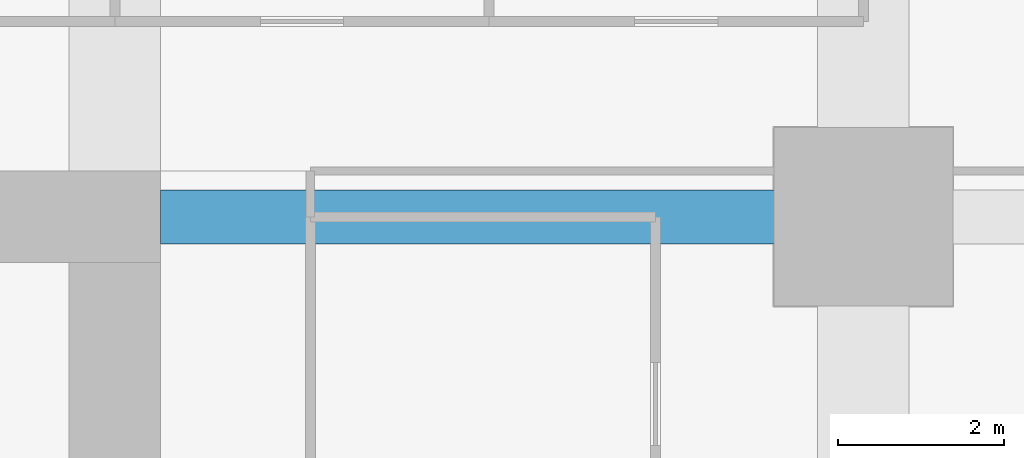
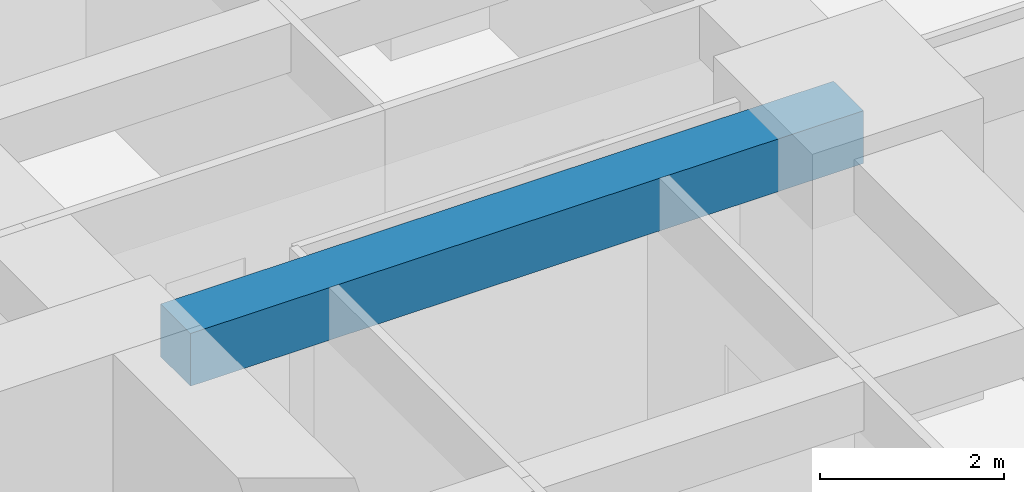
# One storey, part 32 of 41: 1 beam.
"""IFC4 building model written with IfcOpenShell, lengths in metres."""

from ifc_helpers import new_model, si_unit, direction, frame, origin, origin_2d, place, context, subcontext, project, spatial, rectangle, extrude, material, material_profile, profile_set, type_object, element, save


model = new_model("IFC4")

# Units and contexts
model_context = context("Model", 3, precision=1e-05, world=origin(), true_north=direction((0.0, 1.0)))
body_context = subcontext(model_context, "Body", "Model", "MODEL_VIEW")
ifc_project = project(units=[si_unit("LENGTHUNIT", "METRE"), si_unit("AREAUNIT", "SQUARE_METRE"), si_unit("VOLUMEUNIT", "CUBIC_METRE"), si_unit("PLANEANGLEUNIT", "RADIAN"), si_unit("MASSUNIT", "GRAM", prefix="KILO")], contexts=[model_context])

# Site, building, storey
site_placement = place(None, origin())
site = spatial("IfcSite", under=ifc_project, at=site_placement, CompositionType="ELEMENT")
building_placement = place(site_placement, origin())
building = spatial("IfcBuilding", under=site, at=building_placement, Name="Zorevar Civic Tower", CompositionType="ELEMENT")
storey_placement = place(building_placement, frame((0.0, 0.0, 89.0)))
storey = spatial("IfcBuildingStorey", under=building, at=storey_placement, Name="L21", CompositionType="ELEMENT", Elevation=89.0)

# Beam
ifc_material = material(Name="Concrete C50/60", Category="concrete")
ifc_material_profile = material_profile(ifc_material, rectangle(XDim=0.64990234375, YDim=0.699951171875, at=origin_2d()), Name="RC 650x700")
ifc_profile_set = profile_set([ifc_material_profile], Name="Concrete C50/60")
beam_type = type_object("IfcBeamType", Name="Beam RC 650x700", PredefinedType="BEAM", material=ifc_profile_set)
beam_placement = place(storey_placement, frame((45.550048828125, 36.0, 3.39990234375), z_axis=(1.0, 0.0, 0.0), x_axis=(0.0, 1.0, 0.0)))
element("IfcBeam", 1, at=beam_placement, inside=storey, type_object=beam_type, Name="Girder L22", PredefinedType="BEAM", context=body_context, shape_type="SweptSolid", body=[
    extrude(rectangle(XDim=0.64990234375, YDim=0.699951171875, at=origin_2d()), origin(), (0.0, 0.0, 1.0), 8.449951171875),
])

save(model, "model.ifc")
